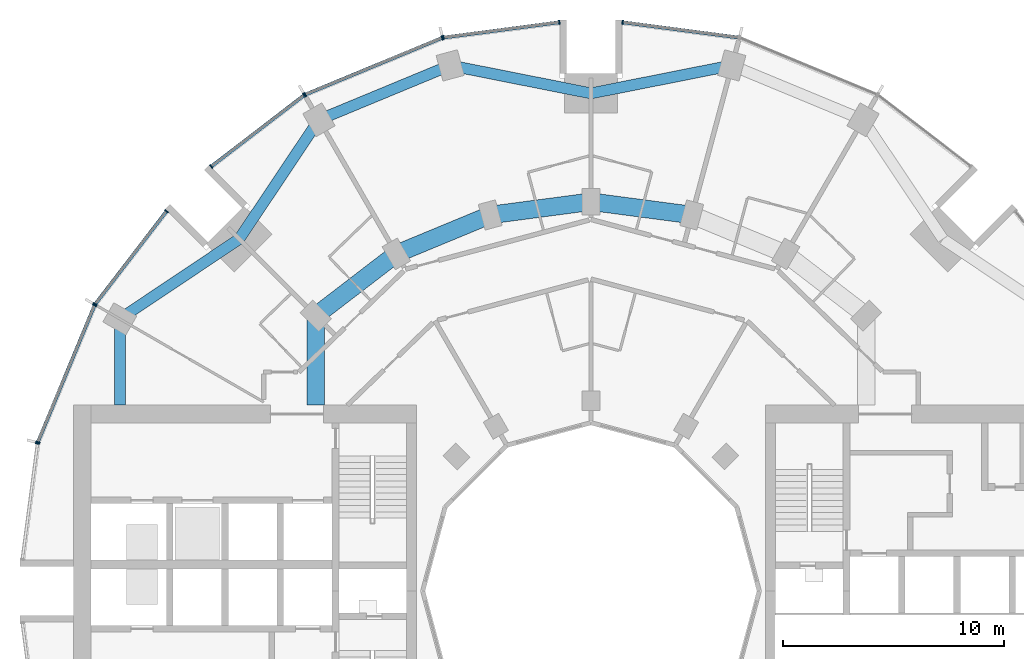
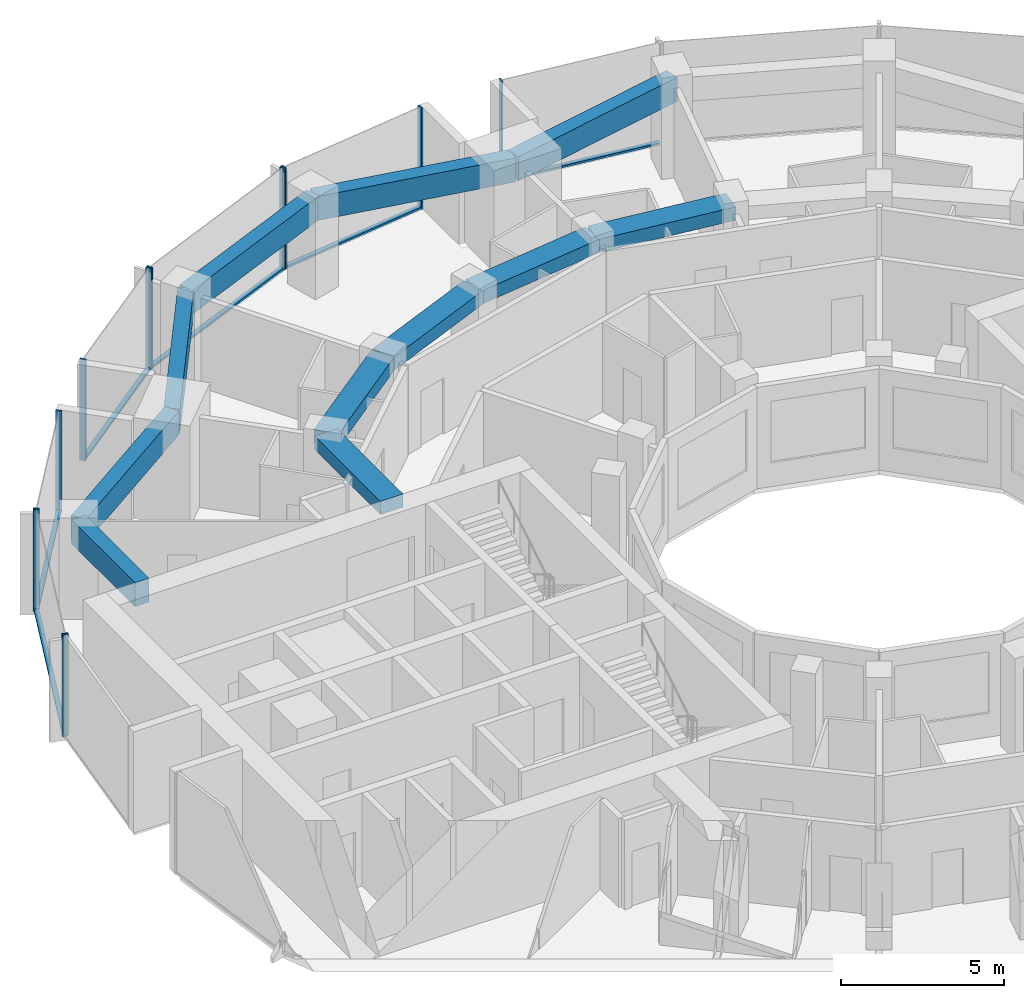
# One storey, part 5 of 15: 18 members, 11 beams, 7 elements without a shape of their own.
"""IFC4 building model written with IfcOpenShell, lengths in metres."""

import ifcopenshell
import ifcopenshell.guid

model = None  # the IFC model being written
_history = None  # IfcOwnerHistory: only IFC2X3 demands one
_inside = {}  # id of a spatial element -> (the spatial element, [elements in it])
_under = {}  # id of a project, library or spatial element -> (it, [spatial elements below it])
_declared = {}  # id of a project -> (the project, [libraries it declares])
_typed = {}  # id of a type object -> (the type object, [elements of that type])
_made_of = {}  # id of a material, layer set ... -> (it, [elements and type objects made of it])


def new_model(schema):
    """Start an empty IFC model of exactly this schema.

    Asked for "IFC4X3", IfcOpenShell would pick the latest addendum, in which some entities
    have other attributes; the version numbers below select the first issue.
    IFC2X3 requires an IfcOwnerHistory on every rooted entity: one is made here for all.
    """
    global model, _history
    if schema == "IFC4X3":
        model = ifcopenshell.file(schema_version=(4, 3, 0, 0))
    else:
        model = ifcopenshell.file(schema=schema)
    _inside.clear()
    _under.clear()
    _declared.clear()
    _typed.clear()
    _made_of.clear()
    _history = None
    if model.schema == "IFC2X3":
        org = make("IfcOrganization", Name="unknown")
        user = make(
            "IfcPersonAndOrganization",
            ThePerson=make("IfcPerson", FamilyName="unknown"),
            TheOrganization=org,
        )
        app = make(
            "IfcApplication",
            ApplicationDeveloper=org,
            Version="unknown",
            ApplicationFullName="unknown",
            ApplicationIdentifier="unknown",
        )
        _history = make(
            "IfcOwnerHistory",
            OwningUser=user,
            OwningApplication=app,
            ChangeAction="ADDED",
            CreationDate=0,
        )
    return model


def make(cls, **values):
    """One entity of the class cls with the attributes given. An attribute that is None is left unset."""
    return model.create_entity(
        cls, **{name: value for name, value in values.items() if value is not None}
    )


def rooted(cls, **values):
    """An entity with a GlobalId (a new one), such as an element, a storey or a relation."""
    return make(cls, GlobalId=ifcopenshell.guid.new(), OwnerHistory=_history, **values)


def si_unit(unit_type, name, prefix=None):
    """IfcSIUnit, for example si_unit("LENGTHUNIT", "METRE", prefix="MILLI")."""
    return make("IfcSIUnit", UnitType=unit_type, Prefix=prefix, Name=name)


def assignment(units):
    """IfcUnitAssignment: the units of a project."""
    return None if units is None else make("IfcUnitAssignment", Units=units)


def point(xyz):
    """IfcCartesianPoint."""
    return None if xyz is None else make("IfcCartesianPoint", Coordinates=xyz)


def direction(xyz):
    """IfcDirection."""
    return None if xyz is None else make("IfcDirection", DirectionRatios=xyz)


def frame(location, z_axis=None, x_axis=None):
    """IfcAxis2Placement3D, a coordinate frame: its origin and axes. An axis left out is left unset."""
    return make(
        "IfcAxis2Placement3D",
        Location=point(location),
        Axis=direction(z_axis),
        RefDirection=direction(x_axis),
    )


def frame_2d(location, x_axis=None):
    """IfcAxis2Placement2D, a coordinate frame in the plane: its origin and x axis."""
    return make(
        "IfcAxis2Placement2D", Location=point(location), RefDirection=direction(x_axis)
    )


def origin():
    """The frame at (0, 0, 0) with its axes left unset."""
    return frame((0.0, 0.0, 0.0))


def origin_2d():
    """The frame at (0, 0) in the plane with its x axis left unset."""
    return frame_2d((0.0, 0.0))


def place(relative_to, where):
    """IfcLocalPlacement: puts the frame where relative to a parent placement (None: the world)."""
    return make(
        "IfcLocalPlacement", PlacementRelTo=relative_to, RelativePlacement=where
    )


def context(
    kind, dimensions, precision=None, world=None, true_north=None, identifier=None
):
    """IfcGeometricRepresentationContext, for example the 3D "Model" context."""
    return make(
        "IfcGeometricRepresentationContext",
        ContextIdentifier=identifier,
        ContextType=kind,
        CoordinateSpaceDimension=dimensions,
        Precision=precision,
        WorldCoordinateSystem=world,
        TrueNorth=true_north,
    )


def subcontext(parent, identifier, kind, view, scale=None):
    """IfcGeometricRepresentationSubContext, for example "Body" below "Model"."""
    return make(
        "IfcGeometricRepresentationSubContext",
        ContextIdentifier=identifier,
        ContextType=kind,
        ParentContext=parent,
        TargetScale=scale,
        TargetView=view,
    )


def project(units=None, contexts=None):
    """IfcProject with its units and contexts."""
    return rooted(
        "IfcProject",
        Name="project",
        RepresentationContexts=contexts,
        UnitsInContext=assignment(units),
    )


def spatial(cls, under=None, at=None, **own):
    """A site, building, storey or space (cls), placed at a placement, below another one or the project."""
    s = rooted(cls, ObjectPlacement=at, **own)
    if under is not None:
        _under.setdefault(under.id(), (under, []))[1].append(s)
    return s


def profile(cls, at=None, kind="AREA", **sizes):
    """A parametric profile (cls). Its sizes go by their IFC names, for example OverallWidth=200.0."""
    return make(cls, ProfileType=kind, Position=at, **sizes)


def rectangle(**sizes):
    """IfcRectangleProfileDef."""
    return profile("IfcRectangleProfileDef", **sizes)


def extrude(swept, where, along, depth):
    """IfcExtrudedAreaSolid: the profile swept, set in the frame where, extruded along a direction by depth."""
    return make(
        "IfcExtrudedAreaSolid",
        SweptArea=swept,
        Position=where,
        ExtrudedDirection=direction(along),
        Depth=depth,
    )


def shape(context_of_items, identifier, shape_type, items):
    """IfcShapeRepresentation: the items that make up one representation, for example the "Body"."""
    return make(
        "IfcShapeRepresentation",
        ContextOfItems=context_of_items,
        RepresentationIdentifier=identifier,
        RepresentationType=shape_type,
        Items=items,
    )


def material(Name=None, Category=None):
    """IfcMaterial."""
    return make("IfcMaterial", Name=Name, Category=Category)


def layer(
    of_material, thickness, ventilated=None, Name=None, Category=None, Priority=None
):
    """IfcMaterialLayer: one layer of a wall or slab, of a material (None: an air gap)."""
    return make(
        "IfcMaterialLayer",
        Material=of_material,
        LayerThickness=thickness,
        IsVentilated=ventilated,
        Name=Name,
        Category=Category,
        Priority=Priority,
    )


def layer_set(layers, Name=None):
    """IfcMaterialLayerSet."""
    return make("IfcMaterialLayerSet", MaterialLayers=layers, LayerSetName=Name)


def material_profile(
    of_material, cross_section, Name=None, Category=None, Priority=None
):
    """IfcMaterialProfile: a cross section and its material."""
    return make(
        "IfcMaterialProfile",
        Name=Name,
        Material=of_material,
        Profile=cross_section,
        Priority=Priority,
        Category=Category,
    )


def profile_set(profiles, Name=None, composite=None):
    """IfcMaterialProfileSet."""
    return make(
        "IfcMaterialProfileSet",
        Name=Name,
        MaterialProfiles=profiles,
        CompositeProfile=composite,
    )


def made_of(thing, what):
    """Note that an element or type object is made of a material, layer set ...; save() writes the relation."""
    if what is not None:
        _made_of.setdefault(what.id(), (what, []))[1].append(thing)
    return thing


def type_object(cls, material=None, **own):
    """A type object (cls), such as IfcWallType, which elements share."""
    return made_of(rooted(cls, **own), material)


def element(
    cls,
    number,
    at=None,
    inside=None,
    cuts=None,
    type_object=None,
    material=None,
    context=None,
    identifier="Body",
    shape_type=None,
    held_by="IfcProductDefinitionShape",
    body=None,
    shapes=None,
    **own,
):
    """One element of the class cls, such as IfcWall. Its Tag is "e" and its number.

    at: its placement. inside: the storey or other place that contains it. cuts: it is an
    opening in that element (IfcRelVoidsElement). A single representation is given by context,
    identifier, shape_type and body (its items); several are given by shapes. held_by: the class
    of the entity that holds the representations. save() writes the other relations.
    """
    e = rooted(cls, Tag="e%d" % number, ObjectPlacement=at, **own)
    if body is not None:
        shapes = [shape(context, identifier, shape_type, body)]
    if shapes is not None:
        e.Representation = make(held_by, Representations=shapes)
    if inside is not None:
        _inside.setdefault(inside.id(), (inside, []))[1].append(e)
    if cuts is not None:
        rooted(
            "IfcRelVoidsElement", RelatingBuildingElement=cuts, RelatedOpeningElement=e
        )
    if type_object is not None:
        _typed.setdefault(type_object.id(), (type_object, []))[1].append(e)
    return made_of(e, material)


def aggregate(whole, parts):
    """IfcRelAggregates: a whole, such as a stair, and the parts it consists of."""
    return rooted("IfcRelAggregates", RelatingObject=whole, RelatedObjects=parts)


def save(model, path):
    """Write the relations noted so far, then the file.

    IfcRelAggregates (storeys below a building ...), IfcRelContainedInSpatialStructure (elements
    in a storey), IfcRelDefinesByType, IfcRelAssociatesMaterial and IfcRelDeclares: one each for
    every whole, place, type object, material and project.
    """
    for whole, parts in _under.values():
        aggregate(whole, parts)
    for where, things in _inside.values():
        rooted(
            "IfcRelContainedInSpatialStructure",
            RelatedElements=things,
            RelatingStructure=where,
        )
    for kind, things in _typed.values():
        rooted("IfcRelDefinesByType", RelatedObjects=things, RelatingType=kind)
    for what, things in _made_of.values():
        rooted("IfcRelAssociatesMaterial", RelatedObjects=things, RelatingMaterial=what)
    for by, libraries in _declared.values():
        rooted("IfcRelDeclares", RelatingContext=by, RelatedDefinitions=libraries)
    model.write(path)


model = new_model("IFC4")

# Units and contexts
model_context = context("Model", 3, precision=1e-05, world=origin(), true_north=direction((0.0, 1.0)))
body_context = subcontext(model_context, "Body", "Model", "MODEL_VIEW")
ifc_project = project(units=[si_unit("LENGTHUNIT", "METRE"), si_unit("AREAUNIT", "SQUARE_METRE"), si_unit("VOLUMEUNIT", "CUBIC_METRE"), si_unit("PLANEANGLEUNIT", "RADIAN"), si_unit("MASSUNIT", "GRAM", prefix="KILO")], contexts=[model_context])

# Site, building, storey
site_placement = place(None, origin())
site = spatial("IfcSite", under=ifc_project, at=site_placement, CompositionType="ELEMENT")
building_placement = place(site_placement, origin())
building = spatial("IfcBuilding", under=site, at=building_placement, Name="Torre Brocal", CompositionType="ELEMENT")
storey_placement = place(building_placement, frame((0.0, 0.0, 51.60009765625)))
storey = spatial("IfcBuildingStorey", under=building, at=storey_placement, Name="L11", CompositionType="ELEMENT", Elevation=51.60009765625)

# Curtain wall, member
ifc_material_1 = material(Name="Aluminium and glass", Category="aluminium")
ifc_layer_1 = layer(ifc_material_1, 0.199951171875)
ifc_layer_set_1 = layer_set([ifc_layer_1], Name="Aluminium and glass")
curtain_wall_type_1 = type_object("IfcCurtainWallType", Name="CW-1 CURTAIN WALL 3800 HIGH", PredefinedType="NOTDEFINED", material=ifc_layer_set_1)
curtain_wall_1_placement = place(storey_placement, origin())
curtain_wall_1 = element("IfcCurtainWall", 1, at=curtain_wall_1_placement, inside=storey, type_object=curtain_wall_type_1, Name="CW-1 RUN 6", PredefinedType="NOTDEFINED")
ifc_material_2 = material(Name="Aluminium, dark anodised", Category="aluminium")
ifc_material_profile_1 = material_profile(ifc_material_2, rectangle(XDim=0.199951171875, YDim=0.06005859375, at=origin_2d()), Name="CW-1 MULLION 60X200")
ifc_profile_set_1 = profile_set([ifc_material_profile_1], Name="Aluminium, dark anodised")
member_type_1 = type_object("IfcMemberType", Name="CW-1 MULLION 60X200", PredefinedType="MULLION", material=ifc_profile_set_1)
member_1_placement = place(storey_placement, frame((81.4296875, 100.7109375, 0.0), z_axis=(0.0, 0.0, 1.0), x_axis=(-0.13052619222, -0.991444861374, 0.0)))
member_1 = element("IfcMember", 2, at=member_1_placement, type_object=member_type_1, Name="CW1-1 mullion 2", PredefinedType="MULLION", context=body_context, shape_type="SweptSolid", body=[
    extrude(rectangle(XDim=0.199951171875, YDim=0.06005859375, at=origin_2d()), origin(), (0.0, 0.0, 1.0), 3.7998046875),
])

# Curtain wall, members
curtain_wall_2_placement = place(storey_placement, origin())
curtain_wall_2 = element("IfcCurtainWall", 3, at=curtain_wall_2_placement, inside=storey, type_object=curtain_wall_type_1, Name="CW-1 RUN 7", PredefinedType="NOTDEFINED")
member_2_placement = place(storey_placement, frame((78.5703125, 100.7109375, 0.0), z_axis=(0.0, 0.0, 1.0), x_axis=(0.13052619222, -0.991444861374, 0.0)))
member_2 = element("IfcMember", 4, at=member_2_placement, type_object=member_type_1, Name="CW1-1 mullion 1", PredefinedType="MULLION", context=body_context, shape_type="SweptSolid", body=[
    extrude(rectangle(XDim=0.199951171875, YDim=0.06005859375, at=origin_2d()), origin(), (0.0, 0.0, 1.0), 3.7998046875),
])
member_3_placement = place(storey_placement, frame((73.32666015625, 100.0205078125, 0.0), z_axis=(0.0, 0.0, 1.0), x_axis=(0.13052619222, -0.991444861374, 0.0)))
member_3 = element("IfcMember", 5, at=member_3_placement, type_object=member_type_1, Name="CW1-1 mullion 2", PredefinedType="MULLION", context=body_context, shape_type="SweptSolid", body=[
    extrude(rectangle(XDim=0.199951171875, YDim=0.06005859375, at=origin_2d()), origin(), (0.0, 0.0, 1.0), 3.7998046875),
])

curtain_wall_3_placement = place(storey_placement, origin())
curtain_wall_3 = element("IfcCurtainWall", 6, at=curtain_wall_3_placement, inside=storey, type_object=curtain_wall_type_1, Name="CW-1 RUN 8", PredefinedType="NOTDEFINED")
member_4_placement = place(storey_placement, frame((73.26904296875, 100.005126953125, 0.0), z_axis=(0.0, 0.0, 1.0), x_axis=(0.382683432333, -0.923879532525, 0.0)))
member_4 = element("IfcMember", 7, at=member_4_placement, type_object=member_type_1, Name="CW1-1 mullion 1", PredefinedType="MULLION", context=body_context, shape_type="SweptSolid", body=[
    extrude(rectangle(XDim=0.199951171875, YDim=0.06005859375, at=origin_2d()), origin(), (0.0, 0.0, 1.0), 3.7998046875),
])
member_5_placement = place(storey_placement, frame((67.078125, 97.440673828125, 0.0), z_axis=(0.0, 0.0, 1.0), x_axis=(0.382683432333, -0.923879532525, 0.0)))
member_5 = element("IfcMember", 8, at=member_5_placement, type_object=member_type_1, Name="CW1-1 mullion 2", PredefinedType="MULLION", context=body_context, shape_type="SweptSolid", body=[
    extrude(rectangle(XDim=0.199951171875, YDim=0.06005859375, at=origin_2d()), origin(), (0.0, 0.0, 1.0), 3.7998046875),
])

curtain_wall_4_placement = place(storey_placement, origin())
curtain_wall_4 = element("IfcCurtainWall", 9, at=curtain_wall_4_placement, inside=storey, type_object=curtain_wall_type_1, Name="CW-1 RUN 9", PredefinedType="NOTDEFINED")
member_6_placement = place(storey_placement, frame((67.026611328125, 97.4111328125, 0.0), z_axis=(0.0, 0.0, 1.0), x_axis=(0.60876142905, -0.793353340259, 0.0)))
member_6 = element("IfcMember", 10, at=member_6_placement, type_object=member_type_1, Name="CW1-1 mullion 1", PredefinedType="MULLION", context=body_context, shape_type="SweptSolid", body=[
    extrude(rectangle(XDim=0.199951171875, YDim=0.06005859375, at=origin_2d()), origin(), (0.0, 0.0, 1.0), 3.7998046875),
])
member_7_placement = place(storey_placement, frame((62.83056640625, 94.19140625, 0.0), z_axis=(0.0, 0.0, 1.0), x_axis=(0.60876142905, -0.793353340259, 0.0)))
member_7 = element("IfcMember", 11, at=member_7_placement, type_object=member_type_1, Name="CW1-1 mullion 2", PredefinedType="MULLION", context=body_context, shape_type="SweptSolid", body=[
    extrude(rectangle(XDim=0.199951171875, YDim=0.06005859375, at=origin_2d()), origin(), (0.0, 0.0, 1.0), 3.7998046875),
])

curtain_wall_5_placement = place(storey_placement, origin())
curtain_wall_5 = element("IfcCurtainWall", 12, at=curtain_wall_5_placement, inside=storey, type_object=curtain_wall_type_1, Name="CW-1 RUN 10", PredefinedType="NOTDEFINED")
member_8_placement = place(storey_placement, frame((60.80859375, 92.16943359375, 0.0), z_axis=(0.0, 0.0, 1.0), x_axis=(0.793353340259, -0.60876142905, 0.0)))
member_8 = element("IfcMember", 13, at=member_8_placement, type_object=member_type_1, Name="CW1-1 mullion 1", PredefinedType="MULLION", context=body_context, shape_type="SweptSolid", body=[
    extrude(rectangle(XDim=0.199951171875, YDim=0.06005859375, at=origin_2d()), origin(), (0.0, 0.0, 1.0), 3.7998046875),
])
member_9_placement = place(storey_placement, frame((57.5888671875, 87.973388671875, 0.0), z_axis=(0.0, 0.0, 1.0), x_axis=(0.793353340259, -0.60876142905, 0.0)))
member_9 = element("IfcMember", 14, at=member_9_placement, type_object=member_type_1, Name="CW1-1 mullion 2", PredefinedType="MULLION", context=body_context, shape_type="SweptSolid", body=[
    extrude(rectangle(XDim=0.199951171875, YDim=0.06005859375, at=origin_2d()), origin(), (0.0, 0.0, 1.0), 3.7998046875),
])

curtain_wall_6_placement = place(storey_placement, origin())
curtain_wall_6 = element("IfcCurtainWall", 15, at=curtain_wall_6_placement, inside=storey, type_object=curtain_wall_type_1, Name="CW-1 RUN 11", PredefinedType="NOTDEFINED")
member_10_placement = place(storey_placement, frame((57.559326171875, 87.921875, 0.0), z_axis=(0.0, 0.0, 1.0), x_axis=(0.923879532525, -0.382683432333, 0.0)))
member_10 = element("IfcMember", 16, at=member_10_placement, type_object=member_type_1, Name="CW1-1 mullion 1", PredefinedType="MULLION", context=body_context, shape_type="SweptSolid", body=[
    extrude(rectangle(XDim=0.199951171875, YDim=0.06005859375, at=origin_2d()), origin(), (0.0, 0.0, 1.0), 3.7998046875),
])
member_11_placement = place(storey_placement, frame((54.994873046875, 81.73095703125, 0.0), z_axis=(0.0, 0.0, 1.0), x_axis=(0.923879532525, -0.382683432333, 0.0)))
member_11 = element("IfcMember", 17, at=member_11_placement, type_object=member_type_1, Name="CW1-1 mullion 2", PredefinedType="MULLION", context=body_context, shape_type="SweptSolid", body=[
    extrude(rectangle(XDim=0.199951171875, YDim=0.06005859375, at=origin_2d()), origin(), (0.0, 0.0, 1.0), 3.7998046875),
])

# Member
ifc_material_3 = material(Name="Aluminium, dark anodised", Category="aluminium")
ifc_material_profile_2 = material_profile(ifc_material_3, rectangle(XDim=0.159912109375, YDim=0.080078125, at=origin_2d()), Name="CW-1 TRANSOM 160X80")
ifc_profile_set_2 = profile_set([ifc_material_profile_2], Name="Aluminium, dark anodised")
member_type_2 = type_object("IfcMemberType", Name="CW-1 TRANSOM 160X80", PredefinedType="USERDEFINED", material=ifc_profile_set_2)
member_12_placement = place(storey_placement, frame((86.643798828125, 100.0244140625, 0.039794921875), z_axis=(-0.991442690863, 0.130542677827, 0.0), x_axis=(-0.130542677827, -0.991442690863, 0.0)))
member_12 = element("IfcMember", 18, at=member_12_placement, type_object=member_type_2, Name="CW1-1 transom 1.1", ObjectType="TRANSOM", PredefinedType="USERDEFINED", context=body_context, shape_type="SweptSolid", body=[
    extrude(rectangle(XDim=0.159912109375, YDim=0.080078125, at=origin_2d()), origin(), (0.0, 0.0, 1.0), 5.22900390625),
])

aggregate(curtain_wall_1, [member_1, member_12])

member_13_placement = place(storey_placement, frame((78.54052734375, 100.70703125, 0.039794921875), z_axis=(-0.991442690863, -0.130542677827, 0.0), x_axis=(0.130542677827, -0.991442690863, 0.0)))
member_13 = element("IfcMember", 19, at=member_13_placement, type_object=member_type_2, Name="CW1-1 transom 1.1", ObjectType="TRANSOM", PredefinedType="USERDEFINED", context=body_context, shape_type="SweptSolid", body=[
    extrude(rectangle(XDim=0.159912109375, YDim=0.080078125, at=origin_2d()), origin(), (0.0, 0.0, 1.0), 5.22900390625),
])

aggregate(curtain_wall_2, [member_2, member_3, member_13])

member_14_placement = place(storey_placement, frame((73.241455078125, 99.99365234375, 0.039794921875), z_axis=(-0.923887344364, -0.38266457234, 0.0), x_axis=(0.38266457234, -0.923887344364, 0.0)))
member_14 = element("IfcMember", 20, at=member_14_placement, type_object=member_type_2, Name="CW1-1 transom 1.1", ObjectType="TRANSOM", PredefinedType="USERDEFINED", context=body_context, shape_type="SweptSolid", body=[
    extrude(rectangle(XDim=0.159912109375, YDim=0.080078125, at=origin_2d()), origin(), (0.0, 0.0, 1.0), 6.640869140625),
])

aggregate(curtain_wall_3, [member_4, member_5, member_14])

member_15_placement = place(storey_placement, frame((67.0029296875, 97.392822265625, 0.039794921875), z_axis=(-0.79336281513, -0.60874908096, 0.0), x_axis=(0.60874908096, -0.79336281513, 0.0)))
member_15 = element("IfcMember", 21, at=member_15_placement, type_object=member_type_2, Name="CW1-1 transom 1.1", ObjectType="TRANSOM", PredefinedType="USERDEFINED", context=body_context, shape_type="SweptSolid", body=[
    extrude(rectangle(XDim=0.159912109375, YDim=0.080078125, at=origin_2d()), origin(), (0.0, 0.0, 1.0), 5.22900390625),
])

aggregate(curtain_wall_4, [member_6, member_7, member_15])

member_16_placement = place(storey_placement, frame((60.790283203125, 92.1455078125, 0.039794921875), z_axis=(-0.60874908096, -0.79336281513, 0.0), x_axis=(0.79336281513, -0.60874908096, 0.0)))
member_16 = element("IfcMember", 22, at=member_16_placement, type_object=member_type_2, Name="CW1-1 transom 1.1", ObjectType="TRANSOM", PredefinedType="USERDEFINED", context=body_context, shape_type="SweptSolid", body=[
    extrude(rectangle(XDim=0.159912109375, YDim=0.080078125, at=origin_2d()), origin(), (0.0, 0.0, 1.0), 5.22900390625),
])

aggregate(curtain_wall_5, [member_8, member_9, member_16])

member_17_placement = place(storey_placement, frame((57.547607421875, 87.89404296875, 0.039794921875), z_axis=(-0.38266457234, -0.923887344364, 0.0), x_axis=(0.923887344364, -0.38266457234, 0.0)))
member_17 = element("IfcMember", 23, at=member_17_placement, type_object=member_type_2, Name="CW1-1 transom 1.1", ObjectType="TRANSOM", PredefinedType="USERDEFINED", context=body_context, shape_type="SweptSolid", body=[
    extrude(rectangle(XDim=0.159912109375, YDim=0.080078125, at=origin_2d()), origin(), (0.0, 0.0, 1.0), 6.640869140625),
])

aggregate(curtain_wall_6, [member_10, member_11, member_17])

# Curtain wall, member
ifc_material_4 = material(Name="Aluminium and glass", Category="aluminium")
ifc_layer_2 = layer(ifc_material_4, 0.199951171875)
ifc_layer_set_2 = layer_set([ifc_layer_2], Name="Aluminium and glass")
curtain_wall_type_2 = type_object("IfcCurtainWallType", Name="CW-1B CURTAIN WALL 3800 HIGH", PredefinedType="NOTDEFINED", material=ifc_layer_set_2)
curtain_wall_7_placement = place(storey_placement, origin())
curtain_wall_7 = element("IfcCurtainWall", 24, at=curtain_wall_7_placement, inside=storey, type_object=curtain_wall_type_2, Name="CW-1B RUN 12", PredefinedType="NOTDEFINED")
ifc_material_5 = material(Name="Aluminium, dark anodised", Category="aluminium")
ifc_material_profile_3 = material_profile(ifc_material_5, rectangle(XDim=0.199951171875, YDim=0.06005859375, at=origin_2d()), Name="CW-1B MULLION 60X200")
ifc_profile_set_3 = profile_set([ifc_material_profile_3], Name="Aluminium, dark anodised")
member_type_3 = type_object("IfcMemberType", Name="CW-1B MULLION 60X200", PredefinedType="MULLION", material=ifc_profile_set_3)
member_18_placement = place(storey_placement, frame((54.9794921875, 81.67333984375, 0.0), z_axis=(0.0, 0.0, 1.0), x_axis=(0.991444861374, -0.13052619222, 0.0)))
member_18 = element("IfcMember", 25, at=member_18_placement, type_object=member_type_3, Name="CW1B-1 mullion 1", PredefinedType="MULLION", context=body_context, shape_type="SweptSolid", body=[
    extrude(rectangle(XDim=0.199951171875, YDim=0.06005859375, at=origin_2d()), origin(), (0.0, 0.0, 1.0), 3.7998046875),
])
aggregate(curtain_wall_7, [member_18])

# Beams
ifc_material_6 = material(Name="Concrete C50", Category="concrete")
ifc_material_profile_4 = material_profile(ifc_material_6, rectangle(XDim=0.800048828125, YDim=0.5, at=origin_2d()), Name="RC 800X500")
ifc_profile_set_4 = profile_set([ifc_material_profile_4], Name="Concrete C50")
beam_type_1 = type_object("IfcBeamType", Name="RC BEAM 800X500 C50 TOP 3480", PredefinedType="BEAM", material=ifc_profile_set_4)
for number, where, z_axis, x_axis, name in (
    (26, (84.55517578125, 92.000244140625, 3.22998046875), (-0.991440544449, 0.130558978332, 0.0), (-0.130558978332, -0.991440544449, 0.0), "Beam BT-19"),
    (27, (80.0, 92.60009765625, 3.22998046875), (-0.991440544449, -0.130558978332, 0.0), (0.130558978332, -0.991440544449, 0.0), "Beam BT-19"),
):
    element("IfcBeam", number, at=place(storey_placement, frame(where, z_axis=z_axis, x_axis=x_axis)), inside=storey, type_object=beam_type_1, Name=name, PredefinedType="BEAM", context=body_context, shape_type="SweptSolid", body=[
        extrude(rectangle(XDim=0.800048828125, YDim=0.5, at=origin_2d()), origin(), (0.0, 0.0, 1.0), 4.594482421875),
    ])
beam_1_placement = place(storey_placement, frame((75.44482421875, 92.000244140625, 3.22998046875), z_axis=(-0.923878240166, -0.382686552348, 0.0), x_axis=(0.382686552348, -0.923878240166, 0.0)))
element("IfcBeam", 28, at=beam_1_placement, inside=storey, type_object=beam_type_1, Name="Beam BT-19", PredefinedType="BEAM", context=body_context, shape_type="SweptSolid", body=[
    extrude(rectangle(XDim=0.800048828125, YDim=0.5, at=origin_2d()), origin(), (0.0, 0.0, 1.0), 4.5947265625),
])
beam_2_placement = place(storey_placement, frame((71.199951171875, 90.241943359375, 3.22998046875), z_axis=(-0.793358265959, -0.6087550097, 0.0), x_axis=(0.6087550097, -0.793358265959, 0.0)))
element("IfcBeam", 29, at=beam_2_placement, inside=storey, type_object=beam_type_1, Name="Beam BT-19", PredefinedType="BEAM", context=body_context, shape_type="SweptSolid", body=[
    extrude(rectangle(XDim=0.800048828125, YDim=0.5, at=origin_2d()), origin(), (0.0, 0.0, 1.0), 4.594482421875),
])
beam_3_placement = place(storey_placement, frame((67.554931640625, 87.445068359375, 3.22998046875), z_axis=(0.0, -1.0, 0.0), x_axis=(1.0, 0.0, 0.0)))
element("IfcBeam", 30, at=beam_3_placement, inside=storey, type_object=beam_type_1, Name="Beam BT-19", PredefinedType="BEAM", context=body_context, shape_type="SweptSolid", body=[
    extrude(rectangle(XDim=0.800048828125, YDim=0.5, at=origin_2d()), origin(), (0.0, 0.0, 1.0), 4.045166015625),
])
ifc_material_7 = material(Name="Concrete C50", Category="concrete")
ifc_material_profile_5 = material_profile(ifc_material_7, rectangle(XDim=0.5, YDim=0.89990234375, at=origin_2d()), Name="RC 500X900")
ifc_profile_set_5 = profile_set([ifc_material_profile_5], Name="Concrete C50")
beam_type_2 = type_object("IfcBeamType", Name="RC SPANDREL BEAM 500X900 C50 TOP 3480", PredefinedType="SPANDREL", material=ifc_profile_set_5)
for number, where, z_axis, x_axis, name in (
    (31, (86.366943359375, 98.76171875, 3.02978515625), (-0.980924907484, -0.194387051723, 0.0), (0.194387051723, -0.980924907484, 0.0), "Beam BT-20"),
    (32, (80.0, 97.5, 3.02978515625), (-0.980924907484, 0.194387051723, 0.0), (-0.194387051723, -0.980924907484, 0.0), "Beam BT-20"),
):
    element("IfcBeam", number, at=place(storey_placement, frame(where, z_axis=z_axis, x_axis=x_axis)), inside=storey, type_object=beam_type_2, Name=name, PredefinedType="SPANDREL", context=body_context, shape_type="SweptSolid", body=[
        extrude(rectangle(XDim=0.5, YDim=0.89990234375, at=origin_2d()), origin(), (0.0, 0.0, 1.0), 6.49072265625),
    ])
beam_4_placement = place(storey_placement, frame((73.633056640625, 98.76171875, 3.02978515625), z_axis=(-0.923882462513, -0.382676358639, 0.0), x_axis=(0.382676358639, -0.923882462513, 0.0)))
element("IfcBeam", 33, at=beam_4_placement, inside=storey, type_object=beam_type_2, Name="Beam BT-20", PredefinedType="SPANDREL", context=body_context, shape_type="SweptSolid", body=[
    extrude(rectangle(XDim=0.5, YDim=0.89990234375, at=origin_2d()), origin(), (0.0, 0.0, 1.0), 6.421875),
])
for number, where, z_axis, x_axis, name in (
    (34, (67.699951171875, 96.30419921875, 3.02978515625), (-0.556157602282, -0.831076844476, 0.0), (0.831076844476, -0.556157602282, 0.0), "Beam BT-20"),
    (35, (64.090087890625, 90.909912109375, 3.02978515625), (-0.831076844476, -0.556157602282, 0.0), (0.556157602282, -0.831076844476, 0.0), "Beam BT-20"),
):
    element("IfcBeam", number, at=place(storey_placement, frame(where, z_axis=z_axis, x_axis=x_axis)), inside=storey, type_object=beam_type_2, Name=name, PredefinedType="SPANDREL", context=body_context, shape_type="SweptSolid", body=[
        extrude(rectangle(XDim=0.5, YDim=0.89990234375, at=origin_2d()), origin(), (0.0, 0.0, 1.0), 6.49072265625),
    ])
beam_5_placement = place(storey_placement, frame((58.69580078125, 87.300048828125, 3.02978515625), z_axis=(0.0, -1.0, 0.0), x_axis=(1.0, 0.0, 0.0)))
element("IfcBeam", 36, at=beam_5_placement, inside=storey, type_object=beam_type_2, Name="Beam BT-20", PredefinedType="SPANDREL", context=body_context, shape_type="SweptSolid", body=[
    extrude(rectangle(XDim=0.5, YDim=0.89990234375, at=origin_2d()), origin(), (0.0, 0.0, 1.0), 3.900146484375),
])

save(model, "model.ifc")
